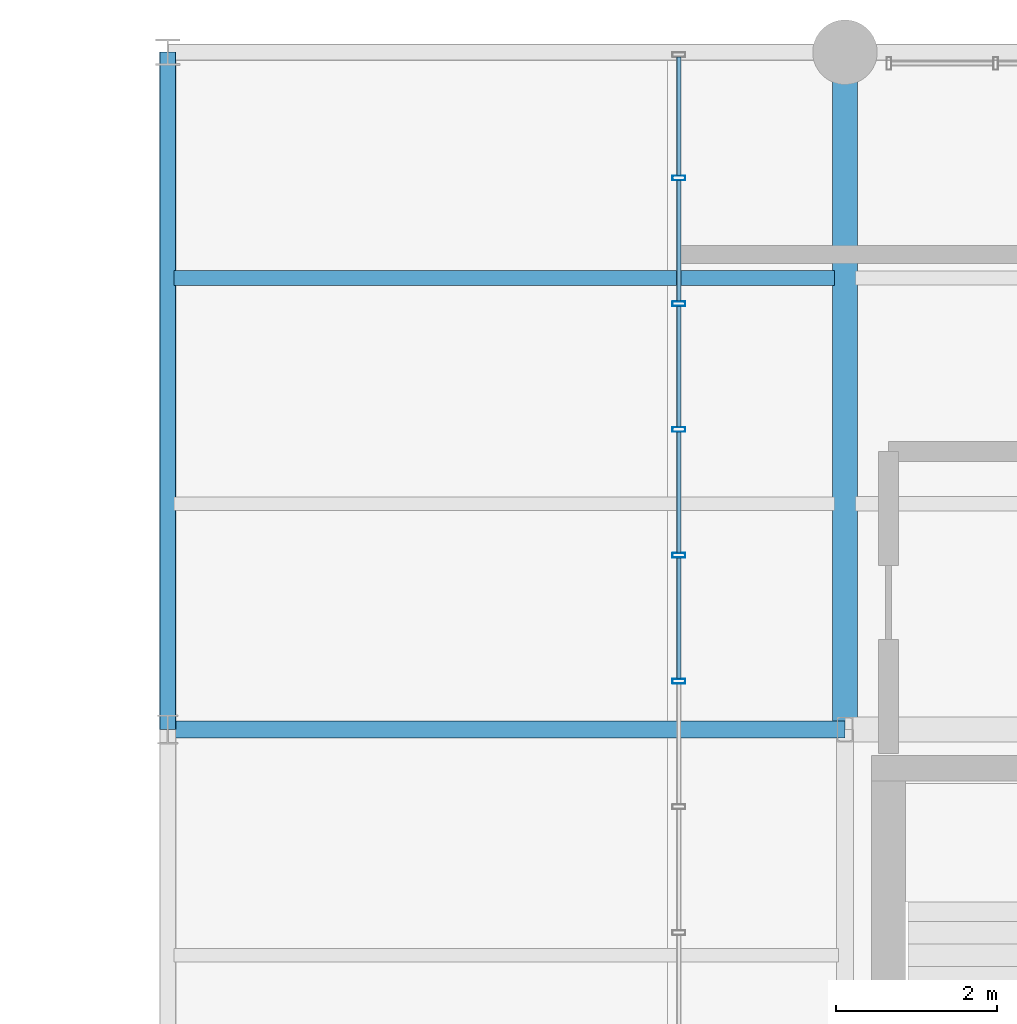
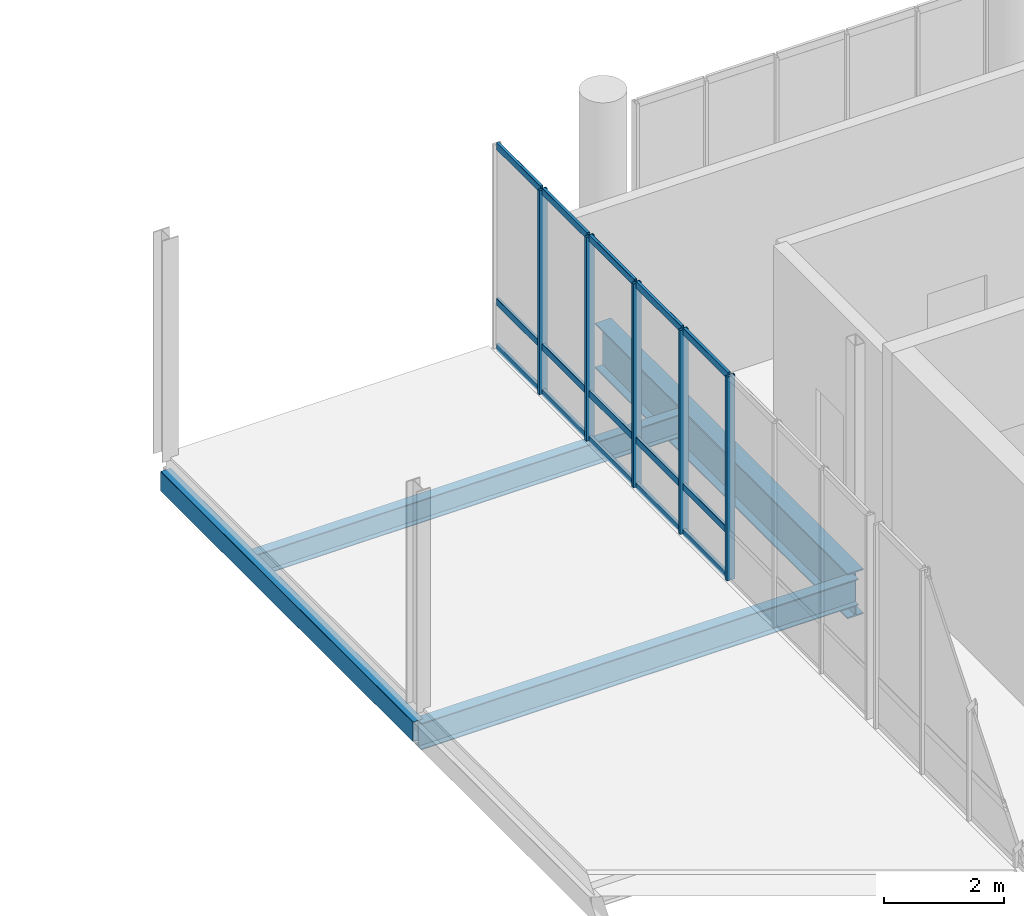
# One storey, part 43 of 68: 20 members, 4 beams, 1 element without a shape of its own.
"""IFC4 building model written with IfcOpenShell, lengths in metres."""

from ifc_helpers import new_model, si_unit, direction, frame, origin_with_axes, origin_2d_with_axis, place, context, subcontext, project, spatial, hollow_rectangle, i_section, extrude, material, material_profile, profile_set, type_object, element, aggregate, save


model = new_model("IFC4")

# Units and contexts
model_context = context("Model", 3, precision=1e-05, world=origin_with_axes(), true_north=direction((0.0, 1.0)))
body_context = subcontext(model_context, "Body", "Model", "MODEL_VIEW")
ifc_project = project(units=[si_unit("LENGTHUNIT", "METRE"), si_unit("AREAUNIT", "SQUARE_METRE"), si_unit("VOLUMEUNIT", "CUBIC_METRE"), si_unit("PLANEANGLEUNIT", "RADIAN"), si_unit("MASSUNIT", "GRAM", prefix="KILO"), si_unit("THERMODYNAMICTEMPERATUREUNIT", "KELVIN")], contexts=[model_context])

# Site, building, storey
site_placement = place(None, origin_with_axes())
site = spatial("IfcSite", under=ifc_project, at=site_placement, CompositionType="ELEMENT")
building_placement = place(site_placement, origin_with_axes())
building = spatial("IfcBuilding", under=site, at=building_placement, Name="Montbau Bow Law Courts", CompositionType="ELEMENT")
storey_placement = place(building_placement, frame((0.0, 0.0, 20.4), z_axis=(0.0, 0.0, 1.0), x_axis=(1.0, 0.0, 0.0)))
storey = spatial("IfcBuildingStorey", under=building, at=storey_placement, Name="L04", CompositionType="ELEMENT", Elevation=20.4)

# Beams
ifc_material_1 = material(Name="Steel CSA G40.21 Grade 350W (350 MPa)", Category="steel")
ifc_material_profile_1 = material_profile(ifc_material_1, i_section(OverallWidth=0.306, OverallDepth=0.919, WebThickness=0.0173, FlangeThickness=0.0279, at=origin_2d_with_axis()), Name="W920X253", Category="Main", Priority=0)
ifc_profile_set_1 = profile_set([ifc_material_profile_1], Name="Steel CSA G40.21 Grade 350W (350 MPa)")
beam_type_1 = type_object("IfcBeamType", Name="B-FLR-01", PredefinedType="BEAM", material=ifc_profile_set_1)
beam_1_placement = place(None, frame((147.0, 94.8, 19.741), z_axis=(0.0, 1.0, 0.0), x_axis=(-1.0, 0.0, 0.0)))
element("IfcBeam", 1, at=beam_1_placement, inside=storey, type_object=beam_type_1, Name="BM-L04-S1272:bm2_1275", PredefinedType="BEAM", context=body_context, shape_type="SweptSolid", body=[
    extrude(i_section(OverallWidth=0.306, OverallDepth=0.919, WebThickness=0.0173, FlangeThickness=0.0279, at=origin_2d_with_axis()), origin_with_axes(), (0.0, 0.0, 1.0), 8.4),
])
ifc_material_profile_2 = material_profile(ifc_material_1, i_section(OverallWidth=0.21, OverallDepth=0.537, WebThickness=0.0109, FlangeThickness=0.0174, at=origin_2d_with_axis()), Name="W530X101", Category="Main", Priority=0)
ifc_profile_set_2 = profile_set([ifc_material_profile_2], Name="Steel CSA G40.21 Grade 350W (350 MPa)")
beam_type_2 = type_object("IfcBeamType", Name="B-FLR-06", PredefinedType="BEAM", material=ifc_profile_set_2)
beam_2_placement = place(None, frame((138.6, 94.8, 19.841), z_axis=(1.0, 0.0, 0.0), x_axis=(0.0, 1.0, 0.0)))
element("IfcBeam", 2, at=beam_2_placement, inside=storey, type_object=beam_type_2, Name="BM-L04-S1257:bm2_1260", PredefinedType="BEAM", context=body_context, shape_type="SweptSolid", body=[
    extrude(i_section(OverallWidth=0.21, OverallDepth=0.537, WebThickness=0.0109, FlangeThickness=0.0174, at=origin_2d_with_axis()), origin_with_axes(), (0.0, 0.0, 1.0), 8.4),
])
ifc_material_profile_3 = material_profile(ifc_material_1, i_section(OverallWidth=0.191, OverallDepth=0.46, WebThickness=0.0099, FlangeThickness=0.016, at=origin_2d_with_axis()), Name="W460X82", Category="Main", Priority=0)
ifc_profile_set_3 = profile_set([ifc_material_profile_3], Name="Steel CSA G40.21 Grade 350W (350 MPa)")
beam_type_3 = type_object("IfcBeamType", Name="B-JST-01", PredefinedType="JOIST", material=ifc_profile_set_3)
beam_3_placement = place(None, frame((138.68, 100.4, 19.88), z_axis=(1.0, 0.0, 0.0), x_axis=(0.0, 1.0, 0.0)))
element("IfcBeam", 3, at=beam_3_placement, inside=storey, type_object=beam_type_3, Name="JST-L04-S0672:jst2_0672", PredefinedType="JOIST", context=body_context, shape_type="SweptSolid", body=[
    extrude(i_section(OverallWidth=0.191, OverallDepth=0.46, WebThickness=0.0099, FlangeThickness=0.016, at=origin_2d_with_axis()), origin_with_axes(), (0.0, 0.0, 1.0), 8.191),
])
ifc_material_2 = material(Name="Steel CSA G40.21 Grade 350WT (350 MPa)", Category="steel")
ifc_material_profile_4 = material_profile(ifc_material_2, hollow_rectangle(XDim=0.203, YDim=0.406, WallThickness=0.0127, InnerFilletRadius=0.0254, OuterFilletRadius=0.0127, at=origin_2d_with_axis()), Name="HSS406X203X13", Category="Main", Priority=0)
ifc_profile_set_4 = profile_set([ifc_material_profile_4], Name="Steel CSA G40.21 Grade 350WT (350 MPa)")
beam_type_4 = type_object("IfcBeamType", Name="B-SPN-01", PredefinedType="SPANDREL", material=ifc_profile_set_4)
beam_4_placement = place(None, frame((138.6, 94.8, 19.907), z_axis=(0.0, 1.0, 0.0), x_axis=(-1.0, 0.0, 0.0)))
element("IfcBeam", 4, at=beam_4_placement, inside=storey, type_object=beam_type_4, Name="SPN-L04-S1268:bm2_1271", PredefinedType="SPANDREL", context=body_context, shape_type="SweptSolid", body=[
    extrude(hollow_rectangle(XDim=0.203, YDim=0.406, WallThickness=0.0127, InnerFilletRadius=0.0254, OuterFilletRadius=0.0127, at=origin_2d_with_axis()), origin_with_axes(), (0.0, 0.0, 1.0), 8.4),
])

# Curtain wall, members
ifc_material_3 = material(Name="Thermally Broken Extruded Aluminium AA 6063-T6", Category="aluminium")
curtain_wall_type = type_object("IfcCurtainWallType", Name="CW-NCK-01", PredefinedType="NOTDEFINED", material=ifc_material_3)
curtain_wall_placement = place(None, frame((144.94, 90.72, 20.4), z_axis=(0.0, 0.0, 1.0), x_axis=(1.0, 0.0, 0.0)))
curtain_wall = element("IfcCurtainWall", 5, at=curtain_wall_placement, inside=storey, type_object=curtain_wall_type, Name="CW-L04-329:cw_0329", PredefinedType="NOTDEFINED")
ifc_material_profile_5 = material_profile(ifc_material_3, hollow_rectangle(XDim=0.06, YDim=0.16, WallThickness=0.004, InnerFilletRadius=0.008, OuterFilletRadius=0.004, at=origin_2d_with_axis()), Name="CWM-160X60", Category="Main", Priority=0)
ifc_profile_set_5 = profile_set([ifc_material_profile_5], Name="Thermally Broken Extruded Aluminium AA 6063-T6")
member_type_1 = type_object("IfcMemberType", Name="M-MUL-03", PredefinedType="MULLION", material=ifc_profile_set_5)
member_1_placement = place(None, frame((144.94, 95.4, 20.4), z_axis=(0.0, 0.0, 1.0), x_axis=(0.0, 1.0, 0.0)))
member_1 = element("IfcMember", 6, at=member_1_placement, type_object=member_type_1, Name="CW-L04-329-M04:cw_0329_M04", PredefinedType="MULLION", context=body_context, shape_type="SweptSolid", body=[
    extrude(hollow_rectangle(XDim=0.06, YDim=0.16, WallThickness=0.004, InnerFilletRadius=0.008, OuterFilletRadius=0.004, at=origin_2d_with_axis()), origin_with_axes(), (0.0, 0.0, 1.0), 4.14),
])
member_2_placement = place(None, frame((144.94, 96.96, 20.4), z_axis=(0.0, 0.0, 1.0), x_axis=(0.0, 1.0, 0.0)))
member_2 = element("IfcMember", 7, at=member_2_placement, type_object=member_type_1, Name="CW-L04-329-M05:cw_0329_M05", PredefinedType="MULLION", context=body_context, shape_type="SweptSolid", body=[
    extrude(hollow_rectangle(XDim=0.06, YDim=0.16, WallThickness=0.004, InnerFilletRadius=0.008, OuterFilletRadius=0.004, at=origin_2d_with_axis()), origin_with_axes(), (0.0, 0.0, 1.0), 4.14),
])
member_3_placement = place(None, frame((144.94, 98.52, 20.4), z_axis=(0.0, 0.0, 1.0), x_axis=(0.0, 1.0, 0.0)))
member_3 = element("IfcMember", 8, at=member_3_placement, type_object=member_type_1, Name="CW-L04-329-M06:cw_0329_M06", PredefinedType="MULLION", context=body_context, shape_type="SweptSolid", body=[
    extrude(hollow_rectangle(XDim=0.06, YDim=0.16, WallThickness=0.004, InnerFilletRadius=0.008, OuterFilletRadius=0.004, at=origin_2d_with_axis()), origin_with_axes(), (0.0, 0.0, 1.0), 4.14),
])
member_4_placement = place(None, frame((144.94, 100.08, 20.4), z_axis=(0.0, 0.0, 1.0), x_axis=(0.0, 1.0, 0.0)))
member_4 = element("IfcMember", 9, at=member_4_placement, type_object=member_type_1, Name="CW-L04-329-M07:cw_0329_M07", PredefinedType="MULLION", context=body_context, shape_type="SweptSolid", body=[
    extrude(hollow_rectangle(XDim=0.06, YDim=0.16, WallThickness=0.004, InnerFilletRadius=0.008, OuterFilletRadius=0.004, at=origin_2d_with_axis()), origin_with_axes(), (0.0, 0.0, 1.0), 4.14),
])
member_5_placement = place(None, frame((144.94, 101.64, 20.4), z_axis=(0.0, 0.0, 1.0), x_axis=(0.0, 1.0, 0.0)))
member_5 = element("IfcMember", 10, at=member_5_placement, type_object=member_type_1, Name="CW-L04-329-M08:cw_0329_M08", PredefinedType="MULLION", context=body_context, shape_type="SweptSolid", body=[
    extrude(hollow_rectangle(XDim=0.06, YDim=0.16, WallThickness=0.004, InnerFilletRadius=0.008, OuterFilletRadius=0.004, at=origin_2d_with_axis()), origin_with_axes(), (0.0, 0.0, 1.0), 4.14),
])
ifc_material_profile_6 = material_profile(ifc_material_3, hollow_rectangle(XDim=0.055, YDim=0.14, WallThickness=0.004, InnerFilletRadius=0.008, OuterFilletRadius=0.004, at=origin_2d_with_axis()), Name="CWT-140X55", Category="Main", Priority=0)
ifc_profile_set_6 = profile_set([ifc_material_profile_6], Name="Thermally Broken Extruded Aluminium AA 6063-T6")
member_type_2 = type_object("IfcMemberType", Name="M-TRN-02", PredefinedType="USERDEFINED", material=ifc_profile_set_6)
member_6_placement = place(None, frame((144.94, 95.432, 20.427), z_axis=(0.0, 1.0, 0.0), x_axis=(-1.0, 0.0, 0.0)))
member_6 = element("IfcMember", 11, at=member_6_placement, type_object=member_type_2, Name="CW-L04-329-T04-1:cw_0329_T04_1", ObjectType="TRANSOM", PredefinedType="USERDEFINED", context=body_context, shape_type="SweptSolid", body=[
    extrude(hollow_rectangle(XDim=0.055, YDim=0.14, WallThickness=0.004, InnerFilletRadius=0.008, OuterFilletRadius=0.004, at=origin_2d_with_axis()), origin_with_axes(), (0.0, 0.0, 1.0), 1.496),
])
member_7_placement = place(None, frame((144.94, 95.432, 21.35), z_axis=(0.0, 1.0, 0.0), x_axis=(-1.0, 0.0, 0.0)))
member_7 = element("IfcMember", 12, at=member_7_placement, type_object=member_type_2, Name="CW-L04-329-T04-2:cw_0329_T04_2", ObjectType="TRANSOM", PredefinedType="USERDEFINED", context=body_context, shape_type="SweptSolid", body=[
    extrude(hollow_rectangle(XDim=0.055, YDim=0.14, WallThickness=0.004, InnerFilletRadius=0.008, OuterFilletRadius=0.004, at=origin_2d_with_axis()), origin_with_axes(), (0.0, 0.0, 1.0), 1.496),
])
member_8_placement = place(None, frame((144.94, 95.432, 24.512), z_axis=(0.0, 1.0, 0.0), x_axis=(-1.0, 0.0, 0.0)))
member_8 = element("IfcMember", 13, at=member_8_placement, type_object=member_type_2, Name="CW-L04-329-T04-3:cw_0329_T04_3", ObjectType="TRANSOM", PredefinedType="USERDEFINED", context=body_context, shape_type="SweptSolid", body=[
    extrude(hollow_rectangle(XDim=0.055, YDim=0.14, WallThickness=0.004, InnerFilletRadius=0.008, OuterFilletRadius=0.004, at=origin_2d_with_axis()), origin_with_axes(), (0.0, 0.0, 1.0), 1.496),
])
member_9_placement = place(None, frame((144.94, 96.992, 20.427), z_axis=(0.0, 1.0, 0.0), x_axis=(-1.0, 0.0, 0.0)))
member_9 = element("IfcMember", 14, at=member_9_placement, type_object=member_type_2, Name="CW-L04-329-T05-1:cw_0329_T05_1", ObjectType="TRANSOM", PredefinedType="USERDEFINED", context=body_context, shape_type="SweptSolid", body=[
    extrude(hollow_rectangle(XDim=0.055, YDim=0.14, WallThickness=0.004, InnerFilletRadius=0.008, OuterFilletRadius=0.004, at=origin_2d_with_axis()), origin_with_axes(), (0.0, 0.0, 1.0), 1.496),
])
member_10_placement = place(None, frame((144.94, 96.992, 21.35), z_axis=(0.0, 1.0, 0.0), x_axis=(-1.0, 0.0, 0.0)))
member_10 = element("IfcMember", 15, at=member_10_placement, type_object=member_type_2, Name="CW-L04-329-T05-2:cw_0329_T05_2", ObjectType="TRANSOM", PredefinedType="USERDEFINED", context=body_context, shape_type="SweptSolid", body=[
    extrude(hollow_rectangle(XDim=0.055, YDim=0.14, WallThickness=0.004, InnerFilletRadius=0.008, OuterFilletRadius=0.004, at=origin_2d_with_axis()), origin_with_axes(), (0.0, 0.0, 1.0), 1.496),
])
member_11_placement = place(None, frame((144.94, 96.992, 24.512), z_axis=(0.0, 1.0, 0.0), x_axis=(-1.0, 0.0, 0.0)))
member_11 = element("IfcMember", 16, at=member_11_placement, type_object=member_type_2, Name="CW-L04-329-T05-3:cw_0329_T05_3", ObjectType="TRANSOM", PredefinedType="USERDEFINED", context=body_context, shape_type="SweptSolid", body=[
    extrude(hollow_rectangle(XDim=0.055, YDim=0.14, WallThickness=0.004, InnerFilletRadius=0.008, OuterFilletRadius=0.004, at=origin_2d_with_axis()), origin_with_axes(), (0.0, 0.0, 1.0), 1.496),
])
member_12_placement = place(None, frame((144.94, 98.552, 20.427), z_axis=(0.0, 1.0, 0.0), x_axis=(-1.0, 0.0, 0.0)))
member_12 = element("IfcMember", 17, at=member_12_placement, type_object=member_type_2, Name="CW-L04-329-T06-1:cw_0329_T06_1", ObjectType="TRANSOM", PredefinedType="USERDEFINED", context=body_context, shape_type="SweptSolid", body=[
    extrude(hollow_rectangle(XDim=0.055, YDim=0.14, WallThickness=0.004, InnerFilletRadius=0.008, OuterFilletRadius=0.004, at=origin_2d_with_axis()), origin_with_axes(), (0.0, 0.0, 1.0), 1.496),
])
member_13_placement = place(None, frame((144.94, 98.552, 21.35), z_axis=(0.0, 1.0, 0.0), x_axis=(-1.0, 0.0, 0.0)))
member_13 = element("IfcMember", 18, at=member_13_placement, type_object=member_type_2, Name="CW-L04-329-T06-2:cw_0329_T06_2", ObjectType="TRANSOM", PredefinedType="USERDEFINED", context=body_context, shape_type="SweptSolid", body=[
    extrude(hollow_rectangle(XDim=0.055, YDim=0.14, WallThickness=0.004, InnerFilletRadius=0.008, OuterFilletRadius=0.004, at=origin_2d_with_axis()), origin_with_axes(), (0.0, 0.0, 1.0), 1.496),
])
member_14_placement = place(None, frame((144.94, 98.552, 24.512), z_axis=(0.0, 1.0, 0.0), x_axis=(-1.0, 0.0, 0.0)))
member_14 = element("IfcMember", 19, at=member_14_placement, type_object=member_type_2, Name="CW-L04-329-T06-3:cw_0329_T06_3", ObjectType="TRANSOM", PredefinedType="USERDEFINED", context=body_context, shape_type="SweptSolid", body=[
    extrude(hollow_rectangle(XDim=0.055, YDim=0.14, WallThickness=0.004, InnerFilletRadius=0.008, OuterFilletRadius=0.004, at=origin_2d_with_axis()), origin_with_axes(), (0.0, 0.0, 1.0), 1.496),
])
member_15_placement = place(None, frame((144.94, 100.112, 20.427), z_axis=(0.0, 1.0, 0.0), x_axis=(-1.0, 0.0, 0.0)))
member_15 = element("IfcMember", 20, at=member_15_placement, type_object=member_type_2, Name="CW-L04-329-T07-1:cw_0329_T07_1", ObjectType="TRANSOM", PredefinedType="USERDEFINED", context=body_context, shape_type="SweptSolid", body=[
    extrude(hollow_rectangle(XDim=0.055, YDim=0.14, WallThickness=0.004, InnerFilletRadius=0.008, OuterFilletRadius=0.004, at=origin_2d_with_axis()), origin_with_axes(), (0.0, 0.0, 1.0), 1.496),
])
member_16_placement = place(None, frame((144.94, 100.112, 21.35), z_axis=(0.0, 1.0, 0.0), x_axis=(-1.0, 0.0, 0.0)))
member_16 = element("IfcMember", 21, at=member_16_placement, type_object=member_type_2, Name="CW-L04-329-T07-2:cw_0329_T07_2", ObjectType="TRANSOM", PredefinedType="USERDEFINED", context=body_context, shape_type="SweptSolid", body=[
    extrude(hollow_rectangle(XDim=0.055, YDim=0.14, WallThickness=0.004, InnerFilletRadius=0.008, OuterFilletRadius=0.004, at=origin_2d_with_axis()), origin_with_axes(), (0.0, 0.0, 1.0), 1.496),
])
member_17_placement = place(None, frame((144.94, 100.112, 24.512), z_axis=(0.0, 1.0, 0.0), x_axis=(-1.0, 0.0, 0.0)))
member_17 = element("IfcMember", 22, at=member_17_placement, type_object=member_type_2, Name="CW-L04-329-T07-3:cw_0329_T07_3", ObjectType="TRANSOM", PredefinedType="USERDEFINED", context=body_context, shape_type="SweptSolid", body=[
    extrude(hollow_rectangle(XDim=0.055, YDim=0.14, WallThickness=0.004, InnerFilletRadius=0.008, OuterFilletRadius=0.004, at=origin_2d_with_axis()), origin_with_axes(), (0.0, 0.0, 1.0), 1.496),
])
member_18_placement = place(None, frame((144.94, 101.672, 20.427), z_axis=(0.0, 1.0, 0.0), x_axis=(-1.0, 0.0, 0.0)))
member_18 = element("IfcMember", 23, at=member_18_placement, type_object=member_type_2, Name="CW-L04-329-T08-1:cw_0329_T08_1", ObjectType="TRANSOM", PredefinedType="USERDEFINED", context=body_context, shape_type="SweptSolid", body=[
    extrude(hollow_rectangle(XDim=0.055, YDim=0.14, WallThickness=0.004, InnerFilletRadius=0.008, OuterFilletRadius=0.004, at=origin_2d_with_axis()), origin_with_axes(), (0.0, 0.0, 1.0), 1.466),
])
member_19_placement = place(None, frame((144.94, 101.672, 21.35), z_axis=(0.0, 1.0, 0.0), x_axis=(-1.0, 0.0, 0.0)))
member_19 = element("IfcMember", 24, at=member_19_placement, type_object=member_type_2, Name="CW-L04-329-T08-2:cw_0329_T08_2", ObjectType="TRANSOM", PredefinedType="USERDEFINED", context=body_context, shape_type="SweptSolid", body=[
    extrude(hollow_rectangle(XDim=0.055, YDim=0.14, WallThickness=0.004, InnerFilletRadius=0.008, OuterFilletRadius=0.004, at=origin_2d_with_axis()), origin_with_axes(), (0.0, 0.0, 1.0), 1.466),
])
member_20_placement = place(None, frame((144.94, 101.672, 24.512), z_axis=(0.0, 1.0, 0.0), x_axis=(-1.0, 0.0, 0.0)))
member_20 = element("IfcMember", 25, at=member_20_placement, type_object=member_type_2, Name="CW-L04-329-T08-3:cw_0329_T08_3", ObjectType="TRANSOM", PredefinedType="USERDEFINED", context=body_context, shape_type="SweptSolid", body=[
    extrude(hollow_rectangle(XDim=0.055, YDim=0.14, WallThickness=0.004, InnerFilletRadius=0.008, OuterFilletRadius=0.004, at=origin_2d_with_axis()), origin_with_axes(), (0.0, 0.0, 1.0), 1.466),
])
aggregate(curtain_wall, [member_1, member_2, member_3, member_4, member_5, member_6, member_7, member_8, member_9, member_10, member_11, member_12, member_13, member_14, member_15, member_16, member_17, member_18, member_19, member_20])

save(model, "model.ifc")
